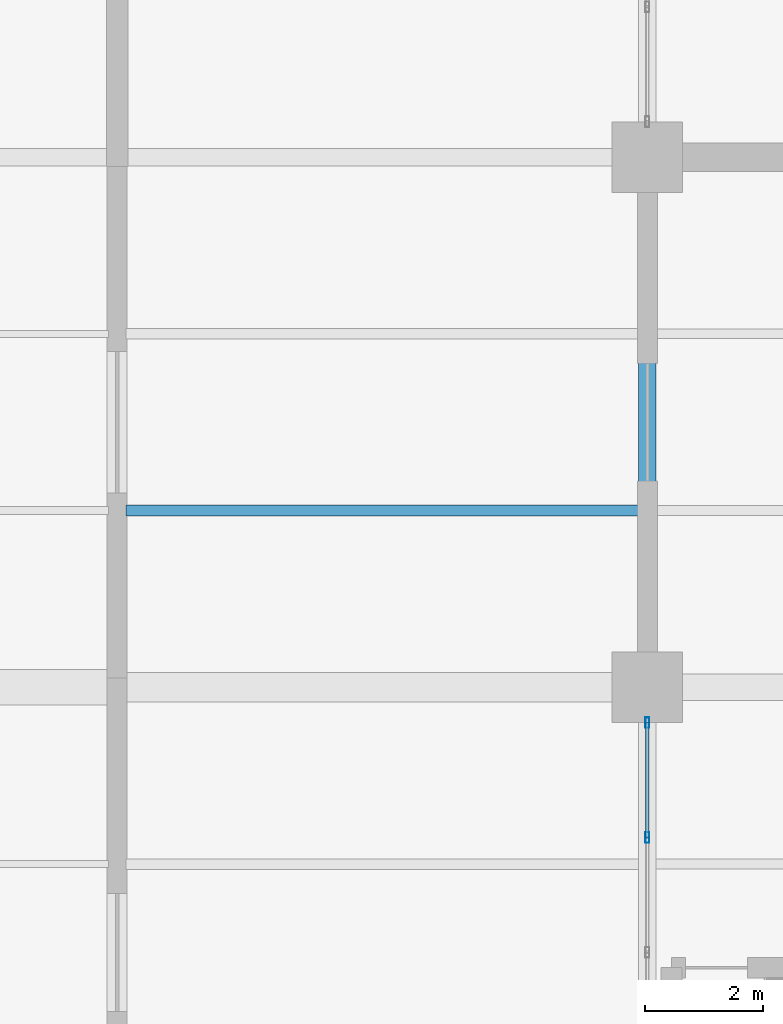
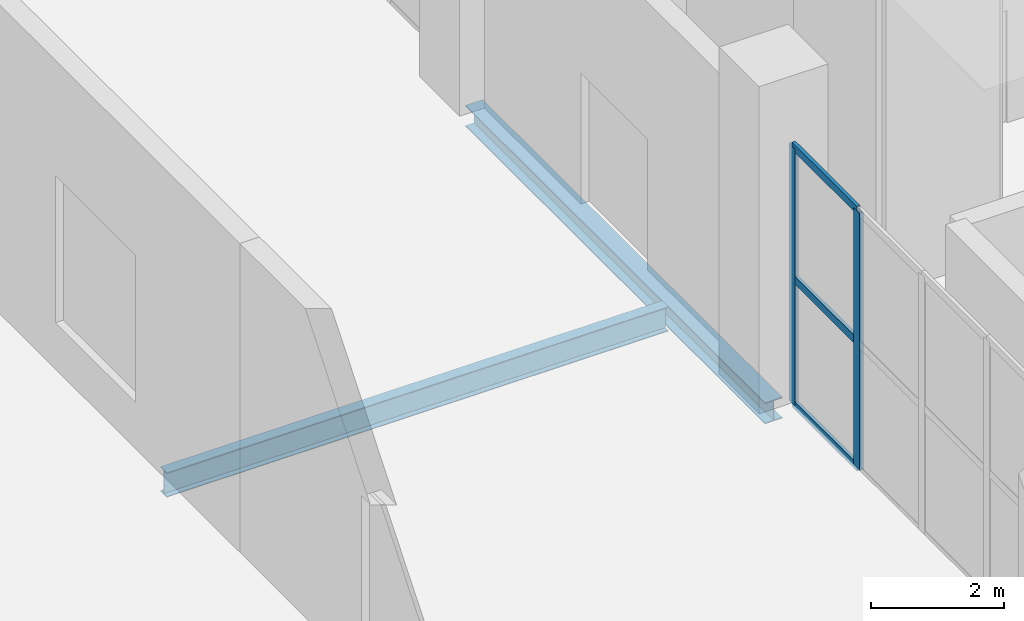
# One storey, part 20 of 144: 5 members, 2 beams, 1 element without a shape of its own.
"""IFC4 building model written with IfcOpenShell, lengths in metres."""

from ifc_helpers import new_model, si_unit, direction, frame, origin, origin_2d, place, context, subcontext, project, spatial, hollow_rectangle, i_section, extrude, material, layer, layer_set, material_profile, profile_set, type_object, element, aggregate, save


model = new_model("IFC4")

# Units and contexts
model_context = context("Model", 3, precision=1e-05, world=origin(), true_north=direction((0.0, 1.0)))
body_context = subcontext(model_context, "Body", "Model", "MODEL_VIEW")
ifc_project = project(units=[si_unit("LENGTHUNIT", "METRE"), si_unit("AREAUNIT", "SQUARE_METRE"), si_unit("VOLUMEUNIT", "CUBIC_METRE"), si_unit("PLANEANGLEUNIT", "RADIAN"), si_unit("MASSUNIT", "GRAM", prefix="KILO")], contexts=[model_context])

# Site, building, storey
site_placement = place(None, origin())
site = spatial("IfcSite", under=ifc_project, at=site_placement, CompositionType="ELEMENT")
building_placement = place(site_placement, origin())
building = spatial("IfcBuilding", under=site, at=building_placement, Name="Sundgate Opera House", CompositionType="ELEMENT")
storey_placement = place(building_placement, origin())
storey = spatial("IfcBuildingStorey", under=building, at=storey_placement, Name="L00", CompositionType="ELEMENT", Elevation=0.0)

# Beams
ifc_material_1 = material(Name="Steel S355J2", Category="steel")
ifc_material_profile_1 = material_profile(ifc_material_1, i_section(OverallWidth=0.300048828125, OverallDepth=0.389892578125, WebThickness=0.010986328125, FlangeThickness=0.01904296875, at=origin_2d()), Name="HEA 400")
ifc_profile_set_1 = profile_set([ifc_material_profile_1], Name="Steel S355J2")
beam_type_1 = type_object("IfcBeamType", Name="BM-GR-HEA400", PredefinedType="BEAM", material=ifc_profile_set_1)
beam_1_placement = place(storey_placement, frame((36.0, 51.0, -0.514892578125), z_axis=(0.0, 1.0, 0.0), x_axis=(-1.0, 0.0, 0.0)))
element("IfcBeam", 1, at=beam_1_placement, inside=storey, type_object=beam_type_1, Name="L00 Primary N-S Girder B0114", PredefinedType="BEAM", context=body_context, shape_type="SweptSolid", body=[
    extrude(i_section(OverallWidth=0.300048828125, OverallDepth=0.389892578125, WebThickness=0.010986328125, FlangeThickness=0.01904296875, at=origin_2d()), origin(), (0.0, 0.0, 1.0), 9.0),
])
ifc_material_2 = material(Name="Steel S355J2", Category="steel")
ifc_material_profile_2 = material_profile(ifc_material_2, i_section(OverallWidth=0.18994140625, OverallDepth=0.449951171875, WebThickness=0.009521484375, FlangeThickness=0.0146484375, at=origin_2d()), Name="IPE 450")
ifc_profile_set_2 = profile_set([ifc_material_profile_2], Name="Steel S355J2")
beam_type_2 = type_object("IfcBeamType", Name="BM-JS-IPE450", PredefinedType="JOIST", material=ifc_profile_set_2)
beam_2_placement = place(storey_placement, frame((27.14990234375, 54.0, -0.544921875), z_axis=(1.0, 0.0, 0.0), x_axis=(0.0, 1.0, 0.0)))
element("IfcBeam", 2, at=beam_2_placement, inside=storey, type_object=beam_type_2, Name="L00 Secondary Floor Joist B0777", PredefinedType="JOIST", context=body_context, shape_type="SweptSolid", body=[
    extrude(i_section(OverallWidth=0.18994140625, OverallDepth=0.449951171875, WebThickness=0.009521484375, FlangeThickness=0.0146484375, at=origin_2d()), origin(), (0.0, 0.0, 1.0), 8.7001953125),
])

# Curtain wall, members
ifc_material_3 = material(Name="Anodized aluminium and low-iron glass", Category="aluminium")
ifc_layer = layer(ifc_material_3, 0.179931640625)
ifc_layer_set = layer_set([ifc_layer], Name="Anodized aluminium and low-iron glass")
curtain_wall_type = type_object("IfcCurtainWallType", Name="CW-FOYER-GLASS", PredefinedType="NOTDEFINED", material=ifc_layer_set)
curtain_wall_placement = place(storey_placement, origin())
curtain_wall = element("IfcCurtainWall", 3, at=curtain_wall_placement, inside=storey, type_object=curtain_wall_type, Name="L00 Curtain Wall CW005", PredefinedType="NOTDEFINED")
ifc_material_4 = material(Name="Anodized aluminium EN AW-6063", Category="aluminium")
ifc_material_profile_3 = material_profile(ifc_material_4, hollow_rectangle(XDim=0.06494140625, YDim=0.179931640625, WallThickness=0.00390625, at=origin_2d()), Name="CWM 180x65x4")
ifc_profile_set_3 = profile_set([ifc_material_profile_3], Name="Anodized aluminium EN AW-6063")
member_type_1 = type_object("IfcMemberType", Name="CWM-ALU-180x65", PredefinedType="MULLION", material=ifc_profile_set_3)
member_1_placement = place(storey_placement, frame((36.0, 50.39990234375, 0.0), z_axis=(0.0, 0.0, 1.0), x_axis=(1.0, 0.0, 0.0)))
member_1 = element("IfcMember", 4, at=member_1_placement, type_object=member_type_1, Name="CW005 Mullion 1", PredefinedType="MULLION", context=body_context, shape_type="SweptSolid", body=[
    extrude(hollow_rectangle(XDim=0.06494140625, YDim=0.179931640625, WallThickness=0.00390625, at=origin_2d()), origin(), (0.0, 0.0, 1.0), 4.715087890625),
])
member_2_placement = place(storey_placement, frame((36.0, 48.449951171875, 0.0), z_axis=(0.0, 0.0, 1.0), x_axis=(1.0, 0.0, 0.0)))
member_2 = element("IfcMember", 5, at=member_2_placement, type_object=member_type_1, Name="CW005 Mullion 2", PredefinedType="MULLION", context=body_context, shape_type="SweptSolid", body=[
    extrude(hollow_rectangle(XDim=0.06494140625, YDim=0.179931640625, WallThickness=0.00390625, at=origin_2d()), origin(), (0.0, 0.0, 1.0), 4.715087890625),
])
ifc_material_5 = material(Name="Anodized aluminium EN AW-6063", Category="aluminium")
ifc_material_profile_4 = material_profile(ifc_material_5, hollow_rectangle(XDim=0.06005859375, YDim=0.139892578125, WallThickness=0.00390625, at=origin_2d()), Name="CWT 140x60x4")
ifc_profile_set_4 = profile_set([ifc_material_profile_4], Name="Anodized aluminium EN AW-6063")
member_type_2 = type_object("IfcMemberType", Name="CWT-ALU-140x60", PredefinedType="USERDEFINED", material=ifc_profile_set_4)
member_3_placement = place(storey_placement, frame((36.0, 50.39990234375, 0.0), z_axis=(0.0, -1.0, 0.0), x_axis=(1.0, 0.0, 0.0)))
member_3 = element("IfcMember", 6, at=member_3_placement, type_object=member_type_2, Name="CW005 Transom 1", ObjectType="TRANSOM", PredefinedType="USERDEFINED", context=body_context, shape_type="SweptSolid", body=[
    extrude(hollow_rectangle(XDim=0.06005859375, YDim=0.139892578125, WallThickness=0.00390625, at=origin_2d()), origin(), (0.0, 0.0, 1.0), 1.949951171875),
])
member_4_placement = place(storey_placement, frame((36.0, 50.39990234375, 2.300048828125), z_axis=(0.0, -1.0, 0.0), x_axis=(1.0, 0.0, 0.0)))
member_4 = element("IfcMember", 7, at=member_4_placement, type_object=member_type_2, Name="CW005 Transom 2", ObjectType="TRANSOM", PredefinedType="USERDEFINED", context=body_context, shape_type="SweptSolid", body=[
    extrude(hollow_rectangle(XDim=0.06005859375, YDim=0.139892578125, WallThickness=0.00390625, at=origin_2d()), origin(), (0.0, 0.0, 1.0), 1.949951171875),
])
member_5_placement = place(storey_placement, frame((36.0, 50.39990234375, 4.715087890625), z_axis=(0.0, -1.0, 0.0), x_axis=(1.0, 0.0, 0.0)))
member_5 = element("IfcMember", 8, at=member_5_placement, type_object=member_type_2, Name="CW005 Transom 3", ObjectType="TRANSOM", PredefinedType="USERDEFINED", context=body_context, shape_type="SweptSolid", body=[
    extrude(hollow_rectangle(XDim=0.06005859375, YDim=0.139892578125, WallThickness=0.00390625, at=origin_2d()), origin(), (0.0, 0.0, 1.0), 1.949951171875),
])
aggregate(curtain_wall, [member_1, member_2, member_3, member_4, member_5])

save(model, "model.ifc")
